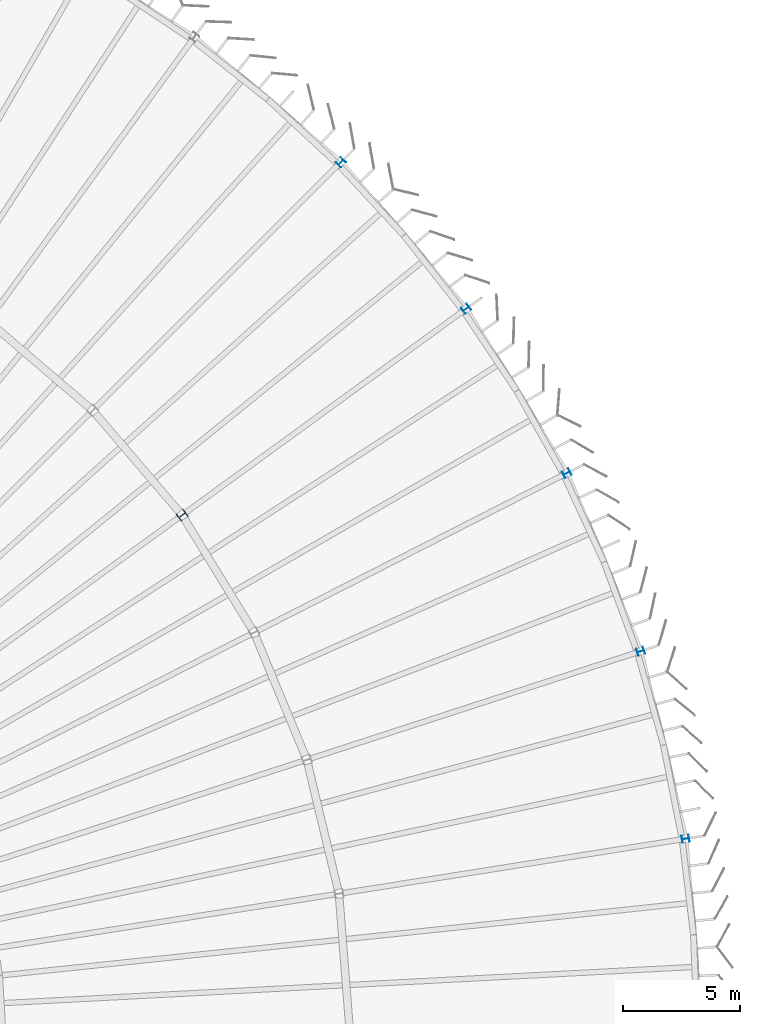
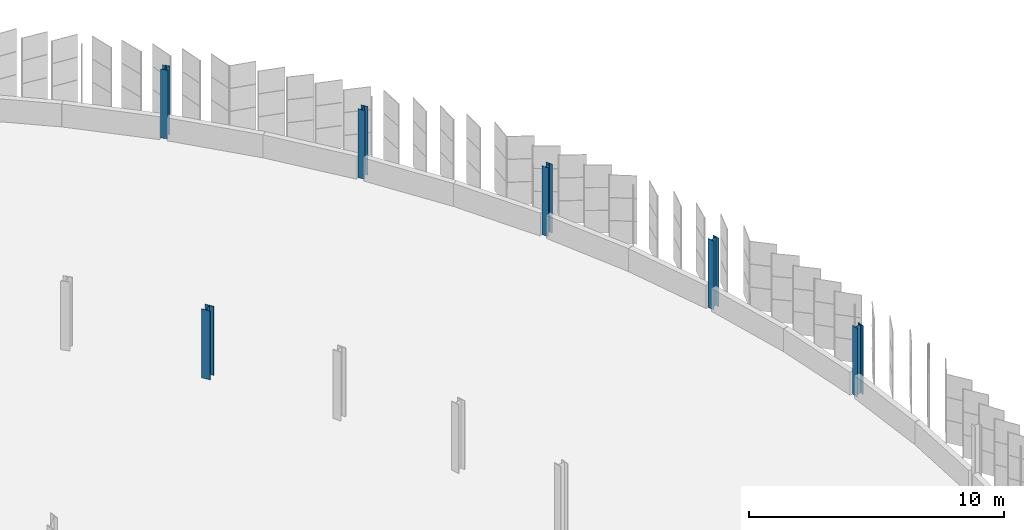
# One storey, part 30 of 214: 6 columns.
"""IFC4 building model written with IfcOpenShell, lengths in metres."""

from ifc_helpers import new_model, si_unit, direction, frame, origin, origin_2d, place, context, subcontext, project, spatial, i_section, extrude, material, material_profile, profile_set, type_object, element, save


model = new_model("IFC4")

# Units and contexts
model_context = context("Model", 3, precision=1e-05, world=origin(), true_north=direction((0.0, 1.0)))
body_context = subcontext(model_context, "Body", "Model", "MODEL_VIEW")
ifc_project = project(units=[si_unit("LENGTHUNIT", "METRE"), si_unit("AREAUNIT", "SQUARE_METRE"), si_unit("VOLUMEUNIT", "CUBIC_METRE"), si_unit("PLANEANGLEUNIT", "RADIAN"), si_unit("MASSUNIT", "GRAM", prefix="KILO")], contexts=[model_context])

# Site, building, storey
site_placement = place(None, origin())
site = spatial("IfcSite", under=ifc_project, at=site_placement, CompositionType="ELEMENT")
building_placement = place(site_placement, origin())
building = spatial("IfcBuilding", under=site, at=building_placement, Name="Parallax Yard Mobility Hub", CompositionType="ELEMENT")
storey_placement = place(building_placement, frame((0.0, 0.0, 3.300048828125)))
storey = spatial("IfcBuildingStorey", under=building, at=storey_placement, Name="L01", CompositionType="ELEMENT", Elevation=3.300048828125)

# Columns
ifc_material = material(Name="Steel ASTM A992", Category="steel")
ifc_material_profile_1 = material_profile(ifc_material, i_section(OverallWidth=0.304931640625, OverallDepth=0.31201171875, WebThickness=0.010986328125, FlangeThickness=0.01708984375, FilletRadius=0.015380859375, at=origin_2d()), Name="W310x107")
ifc_profile_set_1 = profile_set([ifc_material_profile_1], Name="Steel ASTM A992")
column_type_1 = type_object("IfcColumnType", Name="W310x107 column", PredefinedType="COLUMN", material=ifc_profile_set_1)
for number, where, z_axis, x_axis, name in (
    (1, (209.623046875, 127.123046875, 0.0), (0.0, 0.0, 1.0), (-0.707106781187, 0.707106781187, 0.0), "Column C2 level L01 at RC/R5 of ramped parking decks"),
    (2, (214.973388671875, 120.858642578125, 0.0), (0.0, 0.0, 1.0), (-0.587785252292, 0.809016994375, 0.0), "Column C2 level L01 at RC/R6 of ramped parking decks"),
    (3, (219.27783203125, 113.83447265625, 0.0), (0.0, 0.0, 1.0), (-0.45399049974, 0.891006524188, 0.0), "Column C2 level L01 at RC/R7 of ramped parking decks"),
    (4, (222.430419921875, 106.223388671875, 0.0), (0.0, 0.0, 1.0), (-0.309016994375, 0.951056516295, 0.0), "Column C2 level L01 at RC/R8 of ramped parking decks"),
    (5, (224.353515625, 98.212890625, 0.0), (0.0, 0.0, 1.0), (-0.15643446504, 0.987688340595, 0.0), "Column C2 level L01 at RC/R9 of ramped parking decks"),
):
    element("IfcColumn", number, at=place(storey_placement, frame(where, z_axis=z_axis, x_axis=x_axis)), inside=storey, type_object=column_type_1, Name=name, PredefinedType="COLUMN", context=body_context, shape_type="SweptSolid", body=[
        extrude(i_section(OverallWidth=0.304931640625, OverallDepth=0.31201171875, WebThickness=0.010986328125, FlangeThickness=0.01708984375, FilletRadius=0.015380859375, at=origin_2d()), origin(), (0.0, 0.0, 1.0), 3.300048828125),
    ])
ifc_material_profile_2 = material_profile(ifc_material, i_section(OverallWidth=0.373046875, OverallDepth=0.367919921875, WebThickness=0.014892578125, FlangeThickness=0.02392578125, FilletRadius=0.01513671875, at=origin_2d()), Name="W360x179")
ifc_profile_set_2 = profile_set([ifc_material_profile_2], Name="Steel ASTM A992")
column_type_2 = type_object("IfcColumnType", Name="W360x179 column", PredefinedType="COLUMN", material=ifc_profile_set_2)
column_placement = place(storey_placement, frame((202.838134765625, 112.0419921875, 0.0), z_axis=(0.0, 0.0, 1.0), x_axis=(-0.587785252292, 0.809016994375, 0.0)))
element("IfcColumn", 6, at=column_placement, inside=storey, type_object=column_type_2, Name="Column C7 level L01 at RB/R6 of ramped parking decks", PredefinedType="COLUMN", context=body_context, shape_type="SweptSolid", body=[
    extrude(i_section(OverallWidth=0.373046875, OverallDepth=0.367919921875, WebThickness=0.014892578125, FlangeThickness=0.02392578125, FilletRadius=0.01513671875, at=origin_2d()), origin(), (0.0, 0.0, 1.0), 3.300048828125),
])

save(model, "model.ifc")
